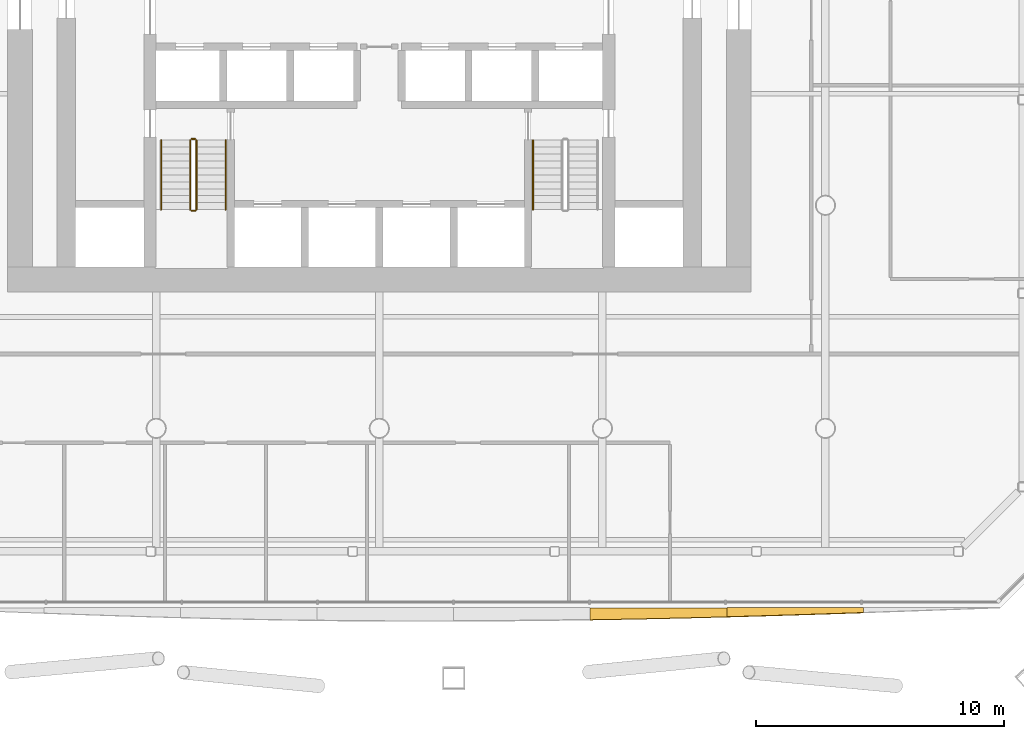
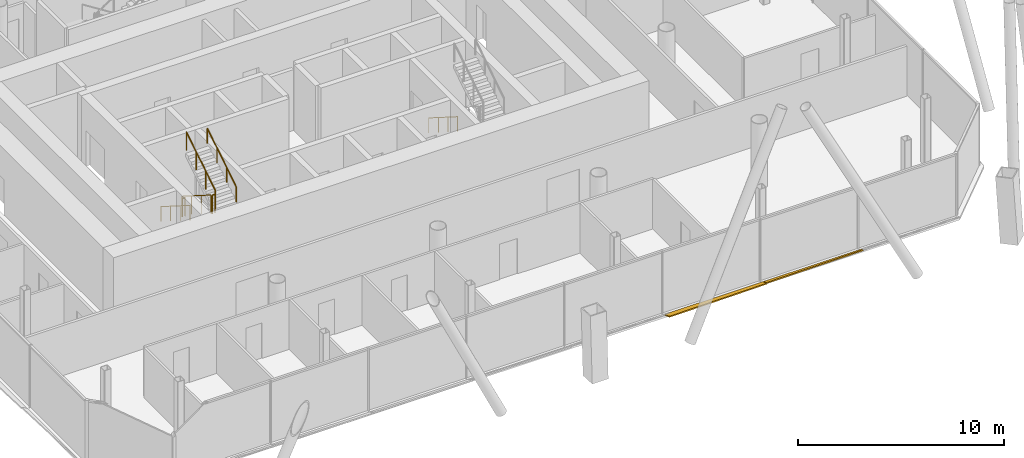
# One storey, part 19 of 22: 7 railings, 2 shading devices.
"""IFC4 building model written with IfcOpenShell, lengths in metres."""

from ifc_helpers import new_model, si_unit, direction, frame, origin, origin_2d, place, context, subcontext, project, spatial, polyline, circle, outline, extrude, material, layer, layer_set, type_object, element, save


model = new_model("IFC4")

# Units and contexts
model_context = context("Model", 3, precision=1e-05, world=origin(), true_north=direction((0.0, 1.0)))
body_context = subcontext(model_context, "Body", "Model", "MODEL_VIEW")
ifc_project = project(units=[si_unit("LENGTHUNIT", "METRE"), si_unit("AREAUNIT", "SQUARE_METRE"), si_unit("VOLUMEUNIT", "CUBIC_METRE"), si_unit("PLANEANGLEUNIT", "RADIAN"), si_unit("MASSUNIT", "GRAM", prefix="KILO")], contexts=[model_context])

# Site, building, storey
site_placement = place(None, origin())
site = spatial("IfcSite", under=ifc_project, at=site_placement, CompositionType="ELEMENT")
building_placement = place(site_placement, origin())
building = spatial("IfcBuilding", under=site, at=building_placement, Name="Tskaro Facet Tower", CompositionType="ELEMENT")
storey_placement = place(building_placement, frame((0.0, 0.0, 73.800048828125)))
storey = spatial("IfcBuildingStorey", under=building, at=storey_placement, Name="L17", CompositionType="ELEMENT", Elevation=73.800048828125)

# Shading devices
ifc_material_1 = material(Name="Bronze anodised aluminium 6063-T6", Category="aluminium")
ifc_layer = layer(ifc_material_1, 0.06005859375, Name="Bronze anodised aluminium 6063-T6")
ifc_layer_set = layer_set([ifc_layer], Name="Bronze anodised aluminium 6063-T6")
shading_device_type = type_object("IfcShadingDeviceType", Name="Bronze sun blade (FN1)", PredefinedType="USERDEFINED", material=ifc_layer_set)
shading_device_1_placement = place(storey_placement, frame((8.5107421875, -25.240478515625, 0.056396484375), z_axis=(8.600648e-06, 0.341877436476, 0.939744549521), x_axis=(0.999999999963, -2.940368e-06, -8.082412e-06)))
element("IfcShadingDevice", 1, at=shading_device_1_placement, inside=storey, type_object=shading_device_type, Name="Fin blade south 6", ObjectType="FIN", PredefinedType="USERDEFINED", context=body_context, shape_type="SweptSolid", body=[
    extrude(outline(polyline([(0.0, 0.0), (5.510742187296183, 0.0), (5.510742188131285, -0.3873185287999604), (4.822021484158149, -0.4063204923992698), (4.133056640097542, -0.42478013018422367), (3.4443359377369624, -0.44215511634046645), (2.755371093853185, -0.4585289170390158), (2.0666503904140545, -0.4741309621015407), (1.377685546707107, -0.48841892571368556), (0.688964843444806, -0.5019351336898059), (-8.531118858741924e-11, -0.5141372602155464), (0.0, 0.0)])), origin(), (0.0, 0.0, -1.0), 0.06005859375),
])
shading_device_2_placement = place(storey_placement, frame((14.021484375, -25.235595703125, 0.054443359375), z_axis=(1.9742212e-05, 0.422296379419, 0.906457813436), x_axis=(0.999999999805, -8.337065e-06, -1.7895482e-05)))
element("IfcShadingDevice", 2, at=shading_device_2_placement, inside=storey, type_object=shading_device_type, Name="Fin blade south 7", ObjectType="FIN", PredefinedType="USERDEFINED", context=body_context, shape_type="SweptSolid", body=[
    extrude(outline(polyline([(0.0, 0.0), (5.51074218642608, 9.33556039327347e-21), (5.510742189485723, -0.21539563087521943), (4.822021485587433, -0.24073451641664542), (4.1330566390287755, -0.26585209878091975), (3.444335935726848, -0.29009957220968596), (2.755371092098151, -0.3138013395821222), (2.066650389392589, -0.33695740089822857), (1.3776855486938542, -0.3592433532788267), (0.6889648425138232, -0.38086539612797), (-1.6593802570299812e-09, -0.40161733004160505), (0.0, 0.0)])), origin(), (0.0, 0.0, -1.0), 0.06005859375),
])

# Railings
ifc_material_2 = material(Name="Stainless steel", Category="steel")
railing_type_1 = type_object("IfcRailingType", Name="RL-GUARD-1100", PredefinedType="GUARDRAIL", material=ifc_material_2)
railing_1_placement = place(storey_placement, frame((-7.625, -6.375, 0.17724609375)))
element("IfcRailing", 3, at=railing_1_placement, inside=storey, type_object=railing_type_1, Name="L17 ST-1 stair guard 1", PredefinedType="GUARDRAIL", context=body_context, shape_type="SweptSolid", body=[
    extrude(circle(Radius=0.02392578125, at=origin_2d()), frame((0.0, 0.0, 1.076171875), z_axis=(0.0, -0.844908973607, 0.534910110503), x_axis=(1.0, 0.0, 0.0)), (0.0, 0.0, 1.0), 3.31396484375),
    extrude(circle(Radius=0.02099609375, at=origin_2d()), origin(), (0.0, 0.0, 1.0), 1.052001953125),
    extrude(circle(Radius=0.02099609375, at=origin_2d()), frame((0.0, -0.933349609375, 0.5908203125)), (0.0, 0.0, 1.0), 1.052001953125),
    extrude(circle(Radius=0.02099609375, at=origin_2d()), frame((0.0, -1.86669921875, 1.181884765625)), (0.0, 0.0, 1.0), 1.052001953125),
    extrude(circle(Radius=0.02099609375, at=origin_2d()), frame((0.0, -2.800048828125, 1.772705078125)), (0.0, 0.0, 1.0), 1.052001953125),
])
railing_2_placement = place(storey_placement, frame((-7.574951171875, -9.22509765625, 1.949951171875)))
element("IfcRailing", 4, at=railing_2_placement, inside=storey, type_object=railing_type_1, Name="L17 ST-1 stair guard 2", PredefinedType="GUARDRAIL", context=body_context, shape_type="SweptSolid", body=[
    extrude(circle(Radius=0.02392578125, at=origin_2d()), frame((0.0, 0.0, 1.076171875), z_axis=(1.0, 0.0, 0.0), x_axis=(0.0, 1.0, 0.0)), (0.0, 0.0, 1.0), 0.14990234375),
    extrude(circle(Radius=0.02099609375, at=origin_2d()), origin(), (0.0, 0.0, 1.0), 1.052001953125),
    extrude(circle(Radius=0.02099609375, at=origin_2d()), frame((0.14990234375, 0.0, 0.0)), (0.0, 0.0, 1.0), 1.052001953125),
])
railing_3_placement = place(storey_placement, frame((-7.375, -9.175048828125, 2.127197265625)))
element("IfcRailing", 5, at=railing_3_placement, inside=storey, type_object=railing_type_1, Name="L17 ST-1 stair guard 3", PredefinedType="GUARDRAIL", context=body_context, shape_type="SweptSolid", body=[
    extrude(circle(Radius=0.02392578125, at=origin_2d()), frame((0.0, 0.0, 1.076171875), z_axis=(0.0, 0.844908973607, 0.534910110503), x_axis=(-1.0, 0.0, 0.0)), (0.0, 0.0, 1.0), 3.31396484375),
    extrude(circle(Radius=0.02099609375, at=origin_2d()), origin(), (0.0, 0.0, 1.0), 1.052001953125),
    extrude(circle(Radius=0.02099609375, at=origin_2d()), frame((0.0, 0.933349609375, 0.5908203125)), (0.0, 0.0, 1.0), 1.052001953125),
    extrude(circle(Radius=0.02099609375, at=origin_2d()), frame((0.0, 1.86669921875, 1.181884765625)), (0.0, 0.0, 1.0), 1.052001953125),
    extrude(circle(Radius=0.02099609375, at=origin_2d()), frame((0.0, 2.800048828125, 1.772705078125)), (0.0, 0.0, 1.0), 1.052001953125),
])
railing_4_placement = place(storey_placement, frame((-7.574951171875, -6.324951171875, 0.0)))
element("IfcRailing", 6, at=railing_4_placement, inside=storey, type_object=railing_type_1, Name="L17 ST-1 stair guard 4", PredefinedType="GUARDRAIL", context=body_context, shape_type="SweptSolid", body=[
    extrude(circle(Radius=0.02392578125, at=origin_2d()), frame((0.0, 0.0, 1.076171875), z_axis=(1.0, 0.0, 0.0), x_axis=(0.0, 1.0, 0.0)), (0.0, 0.0, 1.0), 0.14990234375),
    extrude(circle(Radius=0.02099609375, at=origin_2d()), origin(), (0.0, 0.0, 1.0), 1.052001953125),
    extrude(circle(Radius=0.02099609375, at=origin_2d()), frame((0.14990234375, 0.0, 0.0)), (0.0, 0.0, 1.0), 1.052001953125),
])
railing_type_2 = type_object("IfcRailingType", Name="RL-HANDRAIL-900", PredefinedType="HANDRAIL", material=ifc_material_2)
railing_5_placement = place(storey_placement, frame((-8.800048828125, -6.375, 0.17724609375)))
element("IfcRailing", 7, at=railing_5_placement, inside=storey, type_object=railing_type_2, Name="L17 ST-1 stair handrail 1", PredefinedType="HANDRAIL", context=body_context, shape_type="SweptSolid", body=[
    extrude(circle(Radius=0.02392578125, at=origin_2d()), frame((0.0, 0.0, 0.8759765625), z_axis=(0.0, -0.844908973607, 0.534910110503), x_axis=(1.0, 0.0, 0.0)), (0.0, 0.0, 1.0), 3.31396484375),
    extrude(circle(Radius=0.02099609375, at=origin_2d()), origin(), (0.0, 0.0, 1.0), 0.851806640625),
    extrude(circle(Radius=0.02099609375, at=origin_2d()), frame((0.0, -0.933349609375, 0.5908203125)), (0.0, 0.0, 1.0), 0.851806640625),
    extrude(circle(Radius=0.02099609375, at=origin_2d()), frame((0.0, -1.86669921875, 1.181884765625)), (0.0, 0.0, 1.0), 0.851806640625),
    extrude(circle(Radius=0.02099609375, at=origin_2d()), frame((0.0, -2.800048828125, 1.772705078125)), (0.0, 0.0, 1.0), 0.851806640625),
])
railing_6_placement = place(storey_placement, frame((-6.199951171875, -9.175048828125, 2.127197265625)))
element("IfcRailing", 8, at=railing_6_placement, inside=storey, type_object=railing_type_2, Name="L17 ST-1 stair handrail 2", PredefinedType="HANDRAIL", context=body_context, shape_type="SweptSolid", body=[
    extrude(circle(Radius=0.02392578125, at=origin_2d()), frame((0.0, 0.0, 0.8759765625), z_axis=(0.0, 0.844908973607, 0.534910110503), x_axis=(-1.0, 0.0, 0.0)), (0.0, 0.0, 1.0), 3.31396484375),
    extrude(circle(Radius=0.02099609375, at=origin_2d()), origin(), (0.0, 0.0, 1.0), 0.851806640625),
    extrude(circle(Radius=0.02099609375, at=origin_2d()), frame((0.0, 0.933349609375, 0.5908203125)), (0.0, 0.0, 1.0), 0.851806640625),
    extrude(circle(Radius=0.02099609375, at=origin_2d()), frame((0.0, 1.86669921875, 1.181884765625)), (0.0, 0.0, 1.0), 0.851806640625),
    extrude(circle(Radius=0.02099609375, at=origin_2d()), frame((0.0, 2.800048828125, 1.772705078125)), (0.0, 0.0, 1.0), 0.851806640625),
])
railing_7_placement = place(storey_placement, frame((6.199951171875, -6.375, 0.17724609375)))
element("IfcRailing", 9, at=railing_7_placement, inside=storey, type_object=railing_type_2, Name="L17 ST-2 stair handrail 1", PredefinedType="HANDRAIL", context=body_context, shape_type="SweptSolid", body=[
    extrude(circle(Radius=0.02392578125, at=origin_2d()), frame((0.0, 0.0, 0.8759765625), z_axis=(0.0, -0.844908973607, 0.534910110503), x_axis=(1.0, 0.0, 0.0)), (0.0, 0.0, 1.0), 3.31396484375),
    extrude(circle(Radius=0.02099609375, at=origin_2d()), origin(), (0.0, 0.0, 1.0), 0.851806640625),
    extrude(circle(Radius=0.02099609375, at=origin_2d()), frame((0.0, -0.933349609375, 0.5908203125)), (0.0, 0.0, 1.0), 0.851806640625),
    extrude(circle(Radius=0.02099609375, at=origin_2d()), frame((0.0, -1.86669921875, 1.181884765625)), (0.0, 0.0, 1.0), 0.851806640625),
    extrude(circle(Radius=0.02099609375, at=origin_2d()), frame((0.0, -2.800048828125, 1.772705078125)), (0.0, 0.0, 1.0), 0.851806640625),
])

save(model, "model.ifc")
